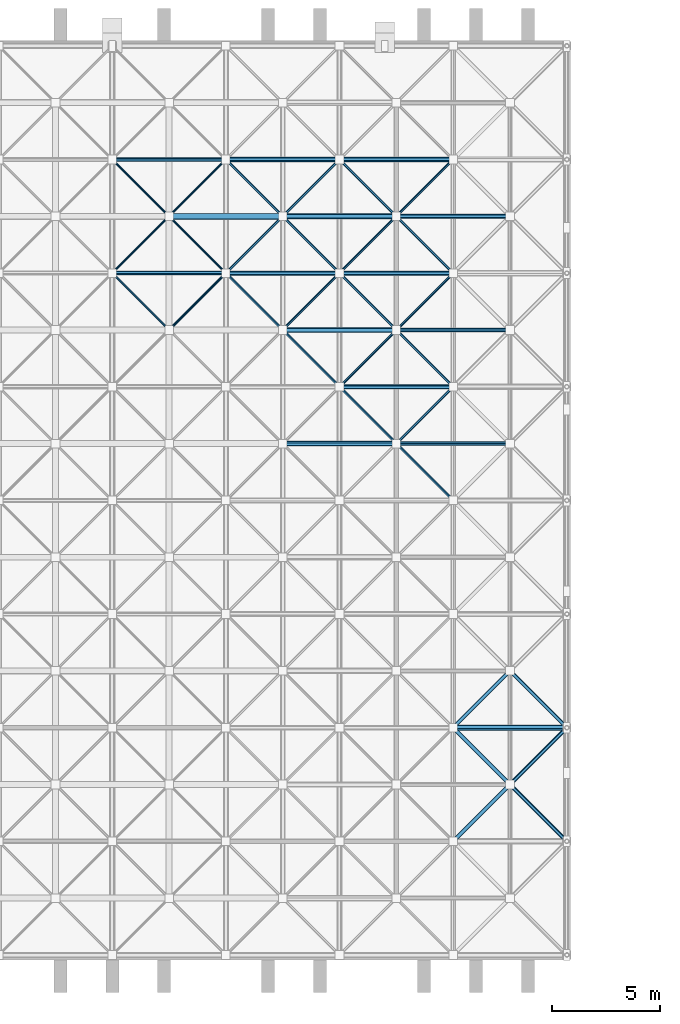
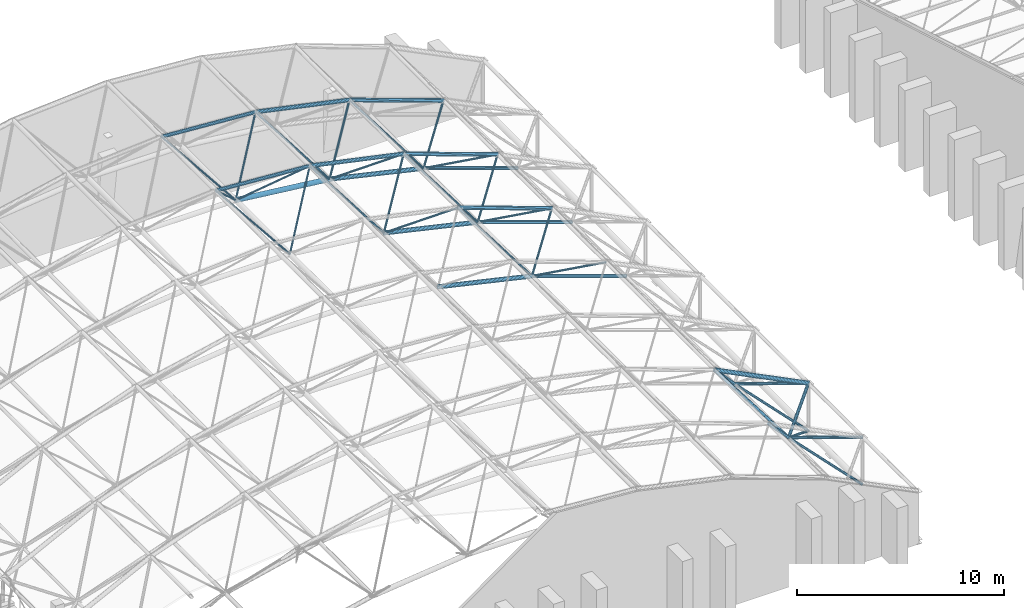
# One storey, part 20 of 100: 48 members.
"""IFC4 building model written with IfcOpenShell, lengths in metres."""

from ifc_helpers import new_model, si_unit, direction, frame, origin, origin_2d, place, context, subcontext, project, spatial, hollow_circle, extrude, material, material_profile, profile_set, type_object, element, save


model = new_model("IFC4")

# Units and contexts
model_context = context("Model", 3, precision=1e-05, world=origin(), true_north=direction((0.0, 1.0)))
body_context = subcontext(model_context, "Body", "Model", "MODEL_VIEW")
ifc_project = project(units=[si_unit("LENGTHUNIT", "METRE"), si_unit("AREAUNIT", "SQUARE_METRE"), si_unit("VOLUMEUNIT", "CUBIC_METRE"), si_unit("PLANEANGLEUNIT", "RADIAN"), si_unit("MASSUNIT", "GRAM", prefix="KILO")], contexts=[model_context])

# Site, building, storey
site_placement = place(None, origin())
site = spatial("IfcSite", under=ifc_project, at=site_placement, CompositionType="ELEMENT")
building_placement = place(site_placement, origin())
building = spatial("IfcBuilding", under=site, at=building_placement, Name="Kiln Court Media Centre", CompositionType="ELEMENT")
storey_placement = place(building_placement, frame((0.0, 0.0, 15.0)))
storey = spatial("IfcBuildingStorey", under=building, at=storey_placement, Name="L03", CompositionType="ELEMENT", Elevation=15.0)

# Members
ifc_material_1 = material(Name="Steel ASTM A500 Gr C", Category="steel")
ifc_material_profile_1 = material_profile(ifc_material_1, hollow_circle(Radius=0.05078125, WallThickness=0.0048828125, at=origin_2d()), Name="CHS 101.6x5.0")
ifc_profile_set_1 = profile_set([ifc_material_profile_1], Name="Steel ASTM A500 Gr C")
member_type_1 = type_object("IfcMemberType", Name="Steel ASTM A500 Gr C CHS 101.6x5.0 space frame brace", PredefinedType="BRACE", material=ifc_profile_set_1)
member_1_placement = place(storey_placement, frame((82.425048828125, 54.074951171875, 5.926513671875), z_axis=(-0.544662450541, 0.544662450541, 0.637719083878), x_axis=(-0.707106781187, -0.707106781187, 0.0)))
element("IfcMember", 1, at=member_1_placement, inside=storey, type_object=member_type_1, Name="V1 roof diagonal 5-6 space frame brace", PredefinedType="BRACE", context=body_context, shape_type="SweptSolid", body=[
    extrude(hollow_circle(Radius=0.05078125, WallThickness=0.0048828125, at=origin_2d()), origin(), (0.0, 0.0, 1.0), 4.819580078125),
])
member_2_placement = place(storey_placement, frame((82.425048828125, 54.074951171875, 5.926513671875), z_axis=(0.571963592053, 0.571963592053, 0.587975593653), x_axis=(-0.707106781187, 0.707106781187, 0.0)))
element("IfcMember", 2, at=member_2_placement, inside=storey, type_object=member_type_1, Name="V1 roof diagonal 5-6 space frame brace", PredefinedType="BRACE", context=body_context, shape_type="SweptSolid", body=[
    extrude(hollow_circle(Radius=0.05078125, WallThickness=0.0048828125, at=origin_2d()), origin(), (0.0, 0.0, 1.0), 4.58935546875),
])
member_3_placement = place(storey_placement, frame((82.425048828125, 59.324951171875, 5.926513671875), z_axis=(-0.544662450541, -0.544662450541, 0.637719083878), x_axis=(0.707106781187, -0.707106781187, 0.0)))
element("IfcMember", 3, at=member_3_placement, inside=storey, type_object=member_type_1, Name="V1 roof diagonal 5-7 space frame brace", PredefinedType="BRACE", context=body_context, shape_type="SweptSolid", body=[
    extrude(hollow_circle(Radius=0.05078125, WallThickness=0.0048828125, at=origin_2d()), origin(), (0.0, 0.0, 1.0), 4.819580078125),
])
member_4_placement = place(storey_placement, frame((82.425048828125, 59.324951171875, 5.926513671875), z_axis=(0.571963592053, -0.571963592053, 0.587975593653), x_axis=(0.707106781187, 0.707106781187, 0.0)))
element("IfcMember", 4, at=member_4_placement, inside=storey, type_object=member_type_1, Name="V1 roof diagonal 5-7 space frame brace", PredefinedType="BRACE", context=body_context, shape_type="SweptSolid", body=[
    extrude(hollow_circle(Radius=0.05078125, WallThickness=0.0048828125, at=origin_2d()), origin(), (0.0, 0.0, 1.0), 4.58935546875),
])
member_5_placement = place(storey_placement, frame((82.425048828125, 59.324951171875, 5.926513671875), z_axis=(-0.544662450541, 0.544662450541, 0.637719083878), x_axis=(-0.707106781187, -0.707106781187, 0.0)))
element("IfcMember", 5, at=member_5_placement, inside=storey, type_object=member_type_1, Name="V1 roof diagonal 5-7 space frame brace", PredefinedType="BRACE", context=body_context, shape_type="SweptSolid", body=[
    extrude(hollow_circle(Radius=0.05078125, WallThickness=0.0048828125, at=origin_2d()), origin(), (0.0, 0.0, 1.0), 4.819580078125),
])
member_6_placement = place(storey_placement, frame((82.425048828125, 59.324951171875, 5.926513671875), z_axis=(0.571963592053, 0.571963592053, 0.587975593653), x_axis=(-0.707106781187, 0.707106781187, 0.0)))
element("IfcMember", 6, at=member_6_placement, inside=storey, type_object=member_type_1, Name="V1 roof diagonal 5-7 space frame brace", PredefinedType="BRACE", context=body_context, shape_type="SweptSolid", body=[
    extrude(hollow_circle(Radius=0.05078125, WallThickness=0.0048828125, at=origin_2d()), origin(), (0.0, 0.0, 1.0), 4.58935546875),
])
ifc_material_2 = material(Name="Steel ASTM A500 Gr C", Category="steel")
ifc_material_profile_2 = material_profile(ifc_material_2, hollow_circle(Radius=0.05712890625, WallThickness=0.0048828125, at=origin_2d()), Name="CHS 114.3x5.0")
ifc_profile_set_2 = profile_set([ifc_material_profile_2], Name="Steel ASTM A500 Gr C")
member_type_2 = type_object("IfcMemberType", Name="Steel ASTM A500 Gr C CHS 114.3x5.0 space frame brace", PredefinedType="BRACE", material=ifc_profile_set_2)
member_7_placement = place(storey_placement, frame((87.675048828125, 54.074951171875, 5.333984375), z_axis=(0.61074803366, -0.61074803366, 0.503958012894), x_axis=(0.707106781187, 0.707106781187, 0.0)))
element("IfcMember", 7, at=member_7_placement, inside=storey, type_object=member_type_2, Name="V1 roof diagonal 6-6 space frame brace", PredefinedType="BRACE", context=body_context, shape_type="SweptSolid", body=[
    extrude(hollow_circle(Radius=0.05712890625, WallThickness=0.0048828125, at=origin_2d()), origin(), (0.0, 0.0, 1.0), 4.298095703125),
])
member_8_placement = place(storey_placement, frame((87.675048828125, 54.074951171875, 5.333984375), z_axis=(-0.529121679325, 0.529121679325, 0.663370557785), x_axis=(-0.707106781187, -0.707106781187, 0.0)))
element("IfcMember", 8, at=member_8_placement, inside=storey, type_object=member_type_2, Name="V1 roof diagonal 6-6 space frame brace", PredefinedType="BRACE", context=body_context, shape_type="SweptSolid", body=[
    extrude(hollow_circle(Radius=0.05712890625, WallThickness=0.0048828125, at=origin_2d()), origin(), (0.0, 0.0, 1.0), 4.9609375),
])
member_9_placement = place(storey_placement, frame((87.675048828125, 54.074951171875, 5.333984375), z_axis=(0.61074803366, 0.61074803366, 0.503958012894), x_axis=(-0.707106781187, 0.707106781187, 0.0)))
element("IfcMember", 9, at=member_9_placement, inside=storey, type_object=member_type_2, Name="V1 roof diagonal 6-6 space frame brace", PredefinedType="BRACE", context=body_context, shape_type="SweptSolid", body=[
    extrude(hollow_circle(Radius=0.05712890625, WallThickness=0.0048828125, at=origin_2d()), origin(), (0.0, 0.0, 1.0), 4.298095703125),
])
member_10_placement = place(storey_placement, frame((87.675048828125, 59.324951171875, 5.333984375), z_axis=(-0.529121679325, -0.529121679325, 0.663370557785), x_axis=(0.707106781187, -0.707106781187, 0.0)))
element("IfcMember", 10, at=member_10_placement, inside=storey, type_object=member_type_2, Name="V1 roof diagonal 6-7 space frame brace", PredefinedType="BRACE", context=body_context, shape_type="SweptSolid", body=[
    extrude(hollow_circle(Radius=0.05712890625, WallThickness=0.0048828125, at=origin_2d()), origin(), (0.0, 0.0, 1.0), 4.9609375),
])
member_11_placement = place(storey_placement, frame((87.675048828125, 59.324951171875, 5.333984375), z_axis=(0.61074803366, -0.61074803366, 0.503958012894), x_axis=(0.707106781187, 0.707106781187, 0.0)))
element("IfcMember", 11, at=member_11_placement, inside=storey, type_object=member_type_2, Name="V1 roof diagonal 6-7 space frame brace", PredefinedType="BRACE", context=body_context, shape_type="SweptSolid", body=[
    extrude(hollow_circle(Radius=0.05712890625, WallThickness=0.0048828125, at=origin_2d()), origin(), (0.0, 0.0, 1.0), 4.298095703125),
])
member_12_placement = place(storey_placement, frame((87.675048828125, 59.324951171875, 5.333984375), z_axis=(-0.529121679325, 0.529121679325, 0.663370557785), x_axis=(-0.707106781187, -0.707106781187, 0.0)))
element("IfcMember", 12, at=member_12_placement, inside=storey, type_object=member_type_2, Name="V1 roof diagonal 6-7 space frame brace", PredefinedType="BRACE", context=body_context, shape_type="SweptSolid", body=[
    extrude(hollow_circle(Radius=0.05712890625, WallThickness=0.0048828125, at=origin_2d()), origin(), (0.0, 0.0, 1.0), 4.9609375),
])
member_13_placement = place(storey_placement, frame((87.675048828125, 59.324951171875, 5.333984375), z_axis=(0.61074803366, 0.61074803366, 0.503958012894), x_axis=(-0.707106781187, 0.707106781187, 0.0)))
element("IfcMember", 13, at=member_13_placement, inside=storey, type_object=member_type_2, Name="V1 roof diagonal 6-7 space frame brace", PredefinedType="BRACE", context=body_context, shape_type="SweptSolid", body=[
    extrude(hollow_circle(Radius=0.05712890625, WallThickness=0.0048828125, at=origin_2d()), origin(), (0.0, 0.0, 1.0), 4.298095703125),
])
member_14_placement = place(storey_placement, frame((92.925048828125, 48.824951171875, 4.133544921875), z_axis=(0.656133377529, -0.656133377529, 0.37279750775), x_axis=(0.707106781187, 0.707106781187, 0.0)))
element("IfcMember", 14, at=member_14_placement, inside=storey, type_object=member_type_2, Name="V1 roof diagonal 7-5 space frame brace", PredefinedType="BRACE", context=body_context, shape_type="SweptSolid", body=[
    extrude(hollow_circle(Radius=0.05712890625, WallThickness=0.0048828125, at=origin_2d()), origin(), (0.0, 0.0, 1.0), 4.000732421875),
])
member_15_placement = place(storey_placement, frame((92.925048828125, 48.824951171875, 4.133544921875), z_axis=(-0.523804264708, 0.523804264708, 0.671757534046), x_axis=(-0.707106781187, -0.707106781187, 0.0)))
element("IfcMember", 15, at=member_15_placement, inside=storey, type_object=member_type_2, Name="V1 roof diagonal 7-5 space frame brace", PredefinedType="BRACE", context=body_context, shape_type="SweptSolid", body=[
    extrude(hollow_circle(Radius=0.05712890625, WallThickness=0.0048828125, at=origin_2d()), origin(), (0.0, 0.0, 1.0), 5.011474609375),
])
member_16_placement = place(storey_placement, frame((92.925048828125, 48.824951171875, 4.133544921875), z_axis=(0.656133377529, 0.656133377529, 0.37279750775), x_axis=(-0.707106781187, 0.707106781187, 0.0)))
element("IfcMember", 16, at=member_16_placement, inside=storey, type_object=member_type_2, Name="V1 roof diagonal 7-5 space frame brace", PredefinedType="BRACE", context=body_context, shape_type="SweptSolid", body=[
    extrude(hollow_circle(Radius=0.05712890625, WallThickness=0.0048828125, at=origin_2d()), origin(), (0.0, 0.0, 1.0), 4.000732421875),
])
member_17_placement = place(storey_placement, frame((92.925048828125, 54.074951171875, 4.133544921875), z_axis=(-0.523804264708, -0.523804264708, 0.671757534046), x_axis=(0.707106781187, -0.707106781187, 0.0)))
element("IfcMember", 17, at=member_17_placement, inside=storey, type_object=member_type_2, Name="V1 roof diagonal 7-6 space frame brace", PredefinedType="BRACE", context=body_context, shape_type="SweptSolid", body=[
    extrude(hollow_circle(Radius=0.05712890625, WallThickness=0.0048828125, at=origin_2d()), origin(), (0.0, 0.0, 1.0), 5.011474609375),
])
member_18_placement = place(storey_placement, frame((92.925048828125, 54.074951171875, 4.133544921875), z_axis=(0.656133377529, -0.656133377529, 0.37279750775), x_axis=(0.707106781187, 0.707106781187, 0.0)))
element("IfcMember", 18, at=member_18_placement, inside=storey, type_object=member_type_2, Name="V1 roof diagonal 7-6 space frame brace", PredefinedType="BRACE", context=body_context, shape_type="SweptSolid", body=[
    extrude(hollow_circle(Radius=0.05712890625, WallThickness=0.0048828125, at=origin_2d()), origin(), (0.0, 0.0, 1.0), 4.000732421875),
])
member_19_placement = place(storey_placement, frame((92.925048828125, 54.074951171875, 4.133544921875), z_axis=(-0.523804264708, 0.523804264708, 0.671757534046), x_axis=(-0.707106781187, -0.707106781187, 0.0)))
element("IfcMember", 19, at=member_19_placement, inside=storey, type_object=member_type_2, Name="V1 roof diagonal 7-6 space frame brace", PredefinedType="BRACE", context=body_context, shape_type="SweptSolid", body=[
    extrude(hollow_circle(Radius=0.05712890625, WallThickness=0.0048828125, at=origin_2d()), origin(), (0.0, 0.0, 1.0), 5.011474609375),
])
member_20_placement = place(storey_placement, frame((92.925048828125, 54.074951171875, 4.133544921875), z_axis=(0.656133377529, 0.656133377529, 0.37279750775), x_axis=(-0.707106781187, 0.707106781187, 0.0)))
element("IfcMember", 20, at=member_20_placement, inside=storey, type_object=member_type_2, Name="V1 roof diagonal 7-6 space frame brace", PredefinedType="BRACE", context=body_context, shape_type="SweptSolid", body=[
    extrude(hollow_circle(Radius=0.05712890625, WallThickness=0.0048828125, at=origin_2d()), origin(), (0.0, 0.0, 1.0), 4.000732421875),
])
member_21_placement = place(storey_placement, frame((92.925048828125, 59.324951171875, 4.133544921875), z_axis=(-0.523804264708, -0.523804264708, 0.671757534046), x_axis=(0.707106781187, -0.707106781187, 0.0)))
element("IfcMember", 21, at=member_21_placement, inside=storey, type_object=member_type_2, Name="V1 roof diagonal 7-7 space frame brace", PredefinedType="BRACE", context=body_context, shape_type="SweptSolid", body=[
    extrude(hollow_circle(Radius=0.05712890625, WallThickness=0.0048828125, at=origin_2d()), origin(), (0.0, 0.0, 1.0), 5.011474609375),
])
member_22_placement = place(storey_placement, frame((92.925048828125, 59.324951171875, 4.133544921875), z_axis=(0.656133377529, -0.656133377529, 0.37279750775), x_axis=(0.707106781187, 0.707106781187, 0.0)))
element("IfcMember", 22, at=member_22_placement, inside=storey, type_object=member_type_2, Name="V1 roof diagonal 7-7 space frame brace", PredefinedType="BRACE", context=body_context, shape_type="SweptSolid", body=[
    extrude(hollow_circle(Radius=0.05712890625, WallThickness=0.0048828125, at=origin_2d()), origin(), (0.0, 0.0, 1.0), 4.000732421875),
])
member_23_placement = place(storey_placement, frame((92.925048828125, 59.324951171875, 4.133544921875), z_axis=(-0.523804264708, 0.523804264708, 0.671757534046), x_axis=(-0.707106781187, -0.707106781187, 0.0)))
element("IfcMember", 23, at=member_23_placement, inside=storey, type_object=member_type_2, Name="V1 roof diagonal 7-7 space frame brace", PredefinedType="BRACE", context=body_context, shape_type="SweptSolid", body=[
    extrude(hollow_circle(Radius=0.05712890625, WallThickness=0.0048828125, at=origin_2d()), origin(), (0.0, 0.0, 1.0), 5.011474609375),
])
member_24_placement = place(storey_placement, frame((92.925048828125, 59.324951171875, 4.133544921875), z_axis=(0.656133377529, 0.656133377529, 0.37279750775), x_axis=(-0.707106781187, 0.707106781187, 0.0)))
element("IfcMember", 24, at=member_24_placement, inside=storey, type_object=member_type_2, Name="V1 roof diagonal 7-7 space frame brace", PredefinedType="BRACE", context=body_context, shape_type="SweptSolid", body=[
    extrude(hollow_circle(Radius=0.05712890625, WallThickness=0.0048828125, at=origin_2d()), origin(), (0.0, 0.0, 1.0), 4.000732421875),
])
ifc_material_3 = material(Name="Steel ASTM A500 Gr C", Category="steel")
ifc_material_profile_3 = material_profile(ifc_material_3, hollow_circle(Radius=0.06982421875, WallThickness=0.0048828125, at=origin_2d()), Name="CHS 139.7x5.0")
ifc_profile_set_3 = profile_set([ifc_material_profile_3], Name="Steel ASTM A500 Gr C")
member_type_3 = type_object("IfcMemberType", Name="Steel ASTM A500 Gr C CHS 139.7x5.0 space frame brace", PredefinedType="BRACE", material=ifc_profile_set_3)
for number, where, z_axis, x_axis, name in (
    (25, (100.800048828125, 30.449951171875, 0.18994140625), (-0.614895163376, 0.614895163376, 0.493769051394), (-0.707106781187, -0.707106781187, 0.0), "V1 roof bearing tie last 2 space frame brace"),
    (26, (100.800048828125, 35.699951171875, 0.18994140625), (-0.614895163376, -0.614895163376, 0.493769051394), (0.707106781187, -0.707106781187, 0.0), "V1 roof bearing tie last 3 space frame brace"),
    (27, (100.800048828125, 35.699951171875, 0.18994140625), (-0.614895163376, 0.614895163376, 0.493769051394), (-0.707106781187, -0.707106781187, 0.0), "V1 roof bearing tie last 3 space frame brace"),
):
    element("IfcMember", number, at=place(storey_placement, frame(where, z_axis=z_axis, x_axis=x_axis)), inside=storey, type_object=member_type_3, Name=name, PredefinedType="BRACE", context=body_context, shape_type="SweptSolid", body=[
        extrude(hollow_circle(Radius=0.06982421875, WallThickness=0.0048828125, at=origin_2d()), origin(), (0.0, 0.0, 1.0), 4.26904296875),
    ])
ifc_material_4 = material(Name="Steel ASTM A500 Gr C", Category="steel")
ifc_material_profile_4 = material_profile(ifc_material_4, hollow_circle(Radius=0.084228515625, WallThickness=0.00634765625, at=origin_2d()), Name="CHS 168.3x6.3")
ifc_profile_set_4 = profile_set([ifc_material_profile_4], Name="Steel ASTM A500 Gr C")
member_type_4 = type_object("IfcMemberType", Name="Steel ASTM A500 Gr C CHS 168.3x6.3 space frame brace", PredefinedType="BRACE", material=ifc_profile_set_4)
member_25_placement = place(storey_placement, frame((98.175048828125, 33.074951171875, 2.2978515625), z_axis=(-0.526569761857, -0.526569761857, 0.667419337295), x_axis=(0.707106781187, -0.707106781187, 0.0)))
element("IfcMember", 28, at=member_25_placement, inside=storey, type_object=member_type_4, Name="V1 roof diagonal 8-2 space frame brace", PredefinedType="BRACE", context=body_context, shape_type="SweptSolid", body=[
    extrude(hollow_circle(Radius=0.084228515625, WallThickness=0.00634765625, at=origin_2d()), origin(), (0.0, 0.0, 1.0), 4.985107421875),
])
member_26_placement = place(storey_placement, frame((98.175048828125, 33.074951171875, 2.2978515625), z_axis=(0.694788256549, -0.694788256549, 0.185845519516), x_axis=(0.707106781187, 0.707106781187, 0.0)))
element("IfcMember", 29, at=member_26_placement, inside=storey, type_object=member_type_4, Name="V1 roof diagonal 8-2 space frame brace", PredefinedType="BRACE", context=body_context, shape_type="SweptSolid", body=[
    extrude(hollow_circle(Radius=0.084228515625, WallThickness=0.00634765625, at=origin_2d()), origin(), (0.0, 0.0, 1.0), 3.778076171875),
])
member_27_placement = place(storey_placement, frame((98.175048828125, 33.074951171875, 2.2978515625), z_axis=(-0.526569761857, 0.526569761857, 0.667419337295), x_axis=(-0.707106781187, -0.707106781187, 0.0)))
element("IfcMember", 30, at=member_27_placement, inside=storey, type_object=member_type_4, Name="V1 roof diagonal 8-2 space frame brace", PredefinedType="BRACE", context=body_context, shape_type="SweptSolid", body=[
    extrude(hollow_circle(Radius=0.084228515625, WallThickness=0.00634765625, at=origin_2d()), origin(), (0.0, 0.0, 1.0), 4.985107421875),
])
member_28_placement = place(storey_placement, frame((98.175048828125, 33.074951171875, 2.2978515625), z_axis=(0.694788256549, 0.694788256549, 0.185845519516), x_axis=(-0.707106781187, 0.707106781187, 0.0)))
element("IfcMember", 31, at=member_28_placement, inside=storey, type_object=member_type_4, Name="V1 roof diagonal 8-2 space frame brace", PredefinedType="BRACE", context=body_context, shape_type="SweptSolid", body=[
    extrude(hollow_circle(Radius=0.084228515625, WallThickness=0.00634765625, at=origin_2d()), origin(), (0.0, 0.0, 1.0), 3.778076171875),
])
member_29_placement = place(storey_placement, frame((98.175048828125, 38.324951171875, 2.2978515625), z_axis=(-0.526569761857, -0.526569761857, 0.667419337295), x_axis=(0.707106781187, -0.707106781187, 0.0)))
element("IfcMember", 32, at=member_29_placement, inside=storey, type_object=member_type_4, Name="V1 roof diagonal 8-3 space frame brace", PredefinedType="BRACE", context=body_context, shape_type="SweptSolid", body=[
    extrude(hollow_circle(Radius=0.084228515625, WallThickness=0.00634765625, at=origin_2d()), origin(), (0.0, 0.0, 1.0), 4.985107421875),
])
member_30_placement = place(storey_placement, frame((98.175048828125, 38.324951171875, 2.2978515625), z_axis=(0.694788256549, -0.694788256549, 0.185845519516), x_axis=(0.707106781187, 0.707106781187, 0.0)))
element("IfcMember", 33, at=member_30_placement, inside=storey, type_object=member_type_4, Name="V1 roof diagonal 8-3 space frame brace", PredefinedType="BRACE", context=body_context, shape_type="SweptSolid", body=[
    extrude(hollow_circle(Radius=0.084228515625, WallThickness=0.00634765625, at=origin_2d()), origin(), (0.0, 0.0, 1.0), 3.778076171875),
])
ifc_material_5 = material(Name="Steel ASTM A500 Gr C", Category="steel")
ifc_material_profile_5 = material_profile(ifc_material_5, hollow_circle(Radius=0.096923828125, WallThickness=0.008056640625, at=origin_2d()), Name="CHS 193.7x8.0")
ifc_profile_set_5 = profile_set([ifc_material_profile_5], Name="Steel ASTM A500 Gr C")
member_type_5 = type_object("IfcMemberType", Name="Steel ASTM A500 Gr C CHS 193.7x8.0 space frame chord", PredefinedType="CHORD", material=ifc_profile_set_5)
for number, where, z_axis, x_axis, name in (
    (34, (79.800048828125, 56.699951171875, 9.0), (0.997458699831, 0.0, -0.071247049988), (0.0, 1.0, 0.0), "V1 roof top chord across line 7 space frame chord"),
    (35, (79.800048828125, 61.949951171875, 9.0), (0.997458699831, 0.0, -0.071247049988), (0.0, 1.0, 0.0), "V1 roof top chord across line 8 space frame chord"),
):
    element("IfcMember", number, at=place(storey_placement, frame(where, z_axis=z_axis, x_axis=x_axis)), inside=storey, type_object=member_type_5, Name=name, PredefinedType="CHORD", context=body_context, shape_type="SweptSolid", body=[
        extrude(hollow_circle(Radius=0.096923828125, WallThickness=0.008056640625, at=origin_2d()), origin(), (0.0, 0.0, 1.0), 5.263427734375),
    ])
for number, where, z_axis, x_axis, name in (
    (36, (92.925048828125, 48.824951171875, 4.133544921875), (0.943959597571, 0.0, -0.330061021863), (0.0, 1.0, 0.0), "V1 roof bottom chord across line 5 space frame chord"),
    (37, (92.925048828125, 54.074951171875, 4.133544921875), (0.943959597571, 0.0, -0.330061021863), (0.0, 1.0, 0.0), "V1 roof bottom chord across line 6 space frame chord"),
    (38, (92.925048828125, 59.324951171875, 4.133544921875), (0.943959597571, 0.0, -0.330061021863), (0.0, 1.0, 0.0), "V1 roof bottom chord across line 7 space frame chord"),
):
    element("IfcMember", number, at=place(storey_placement, frame(where, z_axis=z_axis, x_axis=x_axis)), inside=storey, type_object=member_type_5, Name=name, PredefinedType="CHORD", context=body_context, shape_type="SweptSolid", body=[
        extrude(hollow_circle(Radius=0.096923828125, WallThickness=0.008056640625, at=origin_2d()), origin(), (0.0, 0.0, 1.0), 5.561767578125),
    ])
ifc_material_6 = material(Name="Steel ASTM A500 Gr C", Category="steel")
ifc_material_profile_6 = material_profile(ifc_material_6, hollow_circle(Radius=0.109619140625, WallThickness=0.008056640625, at=origin_2d()), Name="CHS 219.1x8.0")
ifc_profile_set_6 = profile_set([ifc_material_profile_6], Name="Steel ASTM A500 Gr C")
member_type_6 = type_object("IfcMemberType", Name="Steel ASTM A500 Gr C CHS 219.1x8.0 space frame chord", PredefinedType="CHORD", material=ifc_profile_set_6)
member_31_placement = place(storey_placement, frame((90.300048828125, 51.449951171875, 7.5), z_axis=(0.941741911595, 0.0, -0.336336396998), x_axis=(0.0, 1.0, 0.0)))
element("IfcMember", 39, at=member_31_placement, inside=storey, type_object=member_type_6, Name="V1 roof top chord across line 6 space frame chord", PredefinedType="CHORD", context=body_context, shape_type="SweptSolid", body=[
    extrude(hollow_circle(Radius=0.109619140625, WallThickness=0.008056640625, at=origin_2d()), origin(), (0.0, 0.0, 1.0), 5.57470703125),
])
member_32_placement = place(storey_placement, frame((85.050048828125, 56.699951171875, 8.625), z_axis=(0.977802414077, 0.0, -0.209529088731), x_axis=(0.0, 1.0, 0.0)))
element("IfcMember", 40, at=member_32_placement, inside=storey, type_object=member_type_6, Name="V1 roof top chord across line 7 space frame chord", PredefinedType="CHORD", context=body_context, shape_type="SweptSolid", body=[
    extrude(hollow_circle(Radius=0.109619140625, WallThickness=0.008056640625, at=origin_2d()), origin(), (0.0, 0.0, 1.0), 5.369140625),
])
member_33_placement = place(storey_placement, frame((90.300048828125, 56.699951171875, 7.5), z_axis=(0.941741911595, 0.0, -0.336336396998), x_axis=(0.0, 1.0, 0.0)))
element("IfcMember", 41, at=member_33_placement, inside=storey, type_object=member_type_6, Name="V1 roof top chord across line 7 space frame chord", PredefinedType="CHORD", context=body_context, shape_type="SweptSolid", body=[
    extrude(hollow_circle(Radius=0.109619140625, WallThickness=0.008056640625, at=origin_2d()), origin(), (0.0, 0.0, 1.0), 5.57470703125),
])
member_34_placement = place(storey_placement, frame((85.050048828125, 61.949951171875, 8.625), z_axis=(0.977802414077, 0.0, -0.209529088731), x_axis=(0.0, 1.0, 0.0)))
element("IfcMember", 42, at=member_34_placement, inside=storey, type_object=member_type_6, Name="V1 roof top chord across line 8 space frame chord", PredefinedType="CHORD", context=body_context, shape_type="SweptSolid", body=[
    extrude(hollow_circle(Radius=0.109619140625, WallThickness=0.008056640625, at=origin_2d()), origin(), (0.0, 0.0, 1.0), 5.369140625),
])
member_35_placement = place(storey_placement, frame((90.300048828125, 61.949951171875, 7.5), z_axis=(0.941741911595, 0.0, -0.336336396998), x_axis=(0.0, 1.0, 0.0)))
element("IfcMember", 43, at=member_35_placement, inside=storey, type_object=member_type_6, Name="V1 roof top chord across line 8 space frame chord", PredefinedType="CHORD", context=body_context, shape_type="SweptSolid", body=[
    extrude(hollow_circle(Radius=0.109619140625, WallThickness=0.008056640625, at=origin_2d()), origin(), (0.0, 0.0, 1.0), 5.57470703125),
])
ifc_material_7 = material(Name="Steel ASTM A500 Gr C", Category="steel")
ifc_material_profile_7 = material_profile(ifc_material_7, hollow_circle(Radius=0.122314453125, WallThickness=0.010009765625, at=origin_2d()), Name="CHS 244.5x10.0")
ifc_profile_set_7 = profile_set([ifc_material_profile_7], Name="Steel ASTM A500 Gr C")
member_type_7 = type_object("IfcMemberType", Name="Steel ASTM A500 Gr C CHS 244.5x10.0 space frame chord", PredefinedType="CHORD", material=ifc_profile_set_7)
member_36_placement = place(storey_placement, frame((95.550048828125, 35.699951171875, 5.625), z_axis=(0.894427191, 0.0, -0.4472135955), x_axis=(0.0, 1.0, 0.0)))
element("IfcMember", 44, at=member_36_placement, inside=storey, type_object=member_type_7, Name="V1 roof top chord across line 3 space frame chord", PredefinedType="CHORD", context=body_context, shape_type="SweptSolid", body=[
    extrude(hollow_circle(Radius=0.122314453125, WallThickness=0.010009765625, at=origin_2d()), origin(), (0.0, 0.0, 1.0), 5.86962890625),
])
for number, where, z_axis, x_axis, name in (
    (45, (87.675048828125, 48.824951171875, 5.333984375), (0.97484077825, 0.0, -0.22290234871), (0.0, 1.0, 0.0), "V1 roof bottom chord across line 5 space frame chord"),
    (46, (87.675048828125, 54.074951171875, 5.333984375), (0.97484077825, 0.0, -0.22290234871), (0.0, 1.0, 0.0), "V1 roof bottom chord across line 6 space frame chord"),
    (47, (87.675048828125, 59.324951171875, 5.333984375), (0.97484077825, 0.0, -0.22290234871), (0.0, 1.0, 0.0), "V1 roof bottom chord across line 7 space frame chord"),
):
    element("IfcMember", number, at=place(storey_placement, frame(where, z_axis=z_axis, x_axis=x_axis)), inside=storey, type_object=member_type_7, Name=name, PredefinedType="CHORD", context=body_context, shape_type="SweptSolid", body=[
        extrude(hollow_circle(Radius=0.122314453125, WallThickness=0.010009765625, at=origin_2d()), origin(), (0.0, 0.0, 1.0), 5.385498046875),
    ])
ifc_material_8 = material(Name="Steel ASTM A500 Gr C", Category="steel")
ifc_material_profile_8 = material_profile(ifc_material_8, hollow_circle(Radius=0.136474609375, WallThickness=0.010009765625, at=origin_2d()), Name="CHS 273.0x10.0")
ifc_profile_set_8 = profile_set([ifc_material_profile_8], Name="Steel ASTM A500 Gr C")
member_type_8 = type_object("IfcMemberType", Name="Steel ASTM A500 Gr C CHS 273.0x10.0 space frame chord", PredefinedType="CHORD", material=ifc_profile_set_8)
member_37_placement = place(storey_placement, frame((82.425048828125, 59.324951171875, 5.926513671875), z_axis=(0.993691210277, 0.0, -0.112150696026), x_axis=(0.0, 1.0, 0.0)))
element("IfcMember", 48, at=member_37_placement, inside=storey, type_object=member_type_8, Name="V1 roof bottom chord across line 7 space frame chord", PredefinedType="CHORD", context=body_context, shape_type="SweptSolid", body=[
    extrude(hollow_circle(Radius=0.136474609375, WallThickness=0.010009765625, at=origin_2d()), origin(), (0.0, 0.0, 1.0), 5.283447265625),
])

save(model, "model.ifc")
